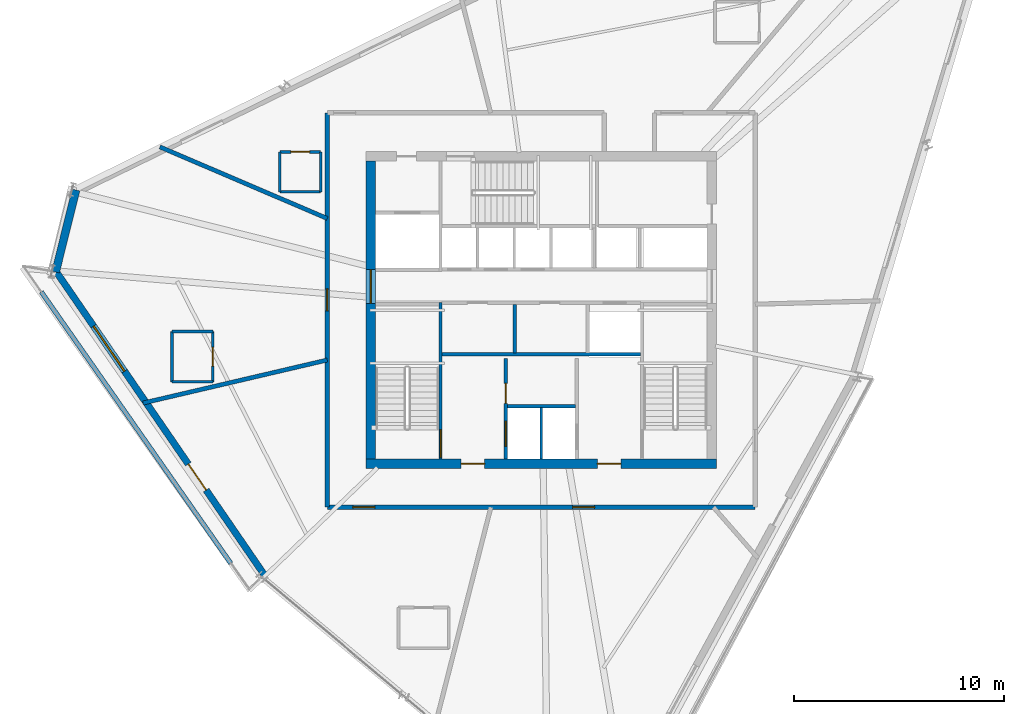
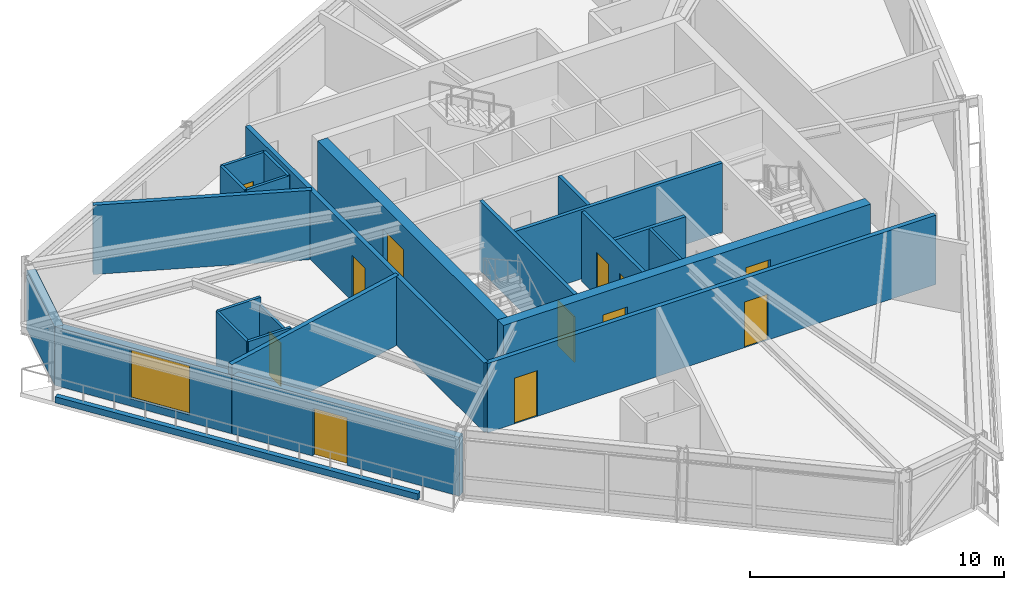
# One storey, part 8 of 14: 23 walls, 12 doors, 1 window, 13 openings.
"""IFC4 building model written with IfcOpenShell, lengths in metres."""

from ifc_helpers import new_model, si_unit, direction, frame, frame_2d, origin, place, context, subcontext, project, spatial, rectangle, extrude, source, transform, mapped, material, layer, layer_set, type_object, type_shapes, element, fill, save


model = new_model("IFC4")

# Units and contexts
model_context = context("Model", 3, precision=1e-05, world=origin(), true_north=direction((0.0, 1.0)))
body_context = subcontext(model_context, "Body", "Model", "MODEL_VIEW")
ifc_project = project(units=[si_unit("LENGTHUNIT", "METRE"), si_unit("AREAUNIT", "SQUARE_METRE"), si_unit("VOLUMEUNIT", "CUBIC_METRE"), si_unit("PLANEANGLEUNIT", "RADIAN"), si_unit("MASSUNIT", "GRAM", prefix="KILO")], contexts=[model_context])

# Site, building, storey
site_placement = place(None, origin())
site = spatial("IfcSite", under=ifc_project, at=site_placement, CompositionType="ELEMENT")
building_placement = place(site_placement, origin())
building = spatial("IfcBuilding", under=site, at=building_placement, Name="Olszyna Solenne Hotel", CompositionType="ELEMENT")
storey_placement = place(building_placement, frame((0.0, 0.0, 216.699951171875)))
storey = spatial("IfcBuildingStorey", under=building, at=storey_placement, Name="L57", CompositionType="ELEMENT", Elevation=216.699951171875)

# Wall, openings, doors
ifc_material_1 = material(Name="Concrete C50/60", Category="concrete")
ifc_layer_1 = layer(ifc_material_1, 0.449951171875, Name="Concrete C50/60")
ifc_layer_set_1 = layer_set([ifc_layer_1], Name="Concrete C50/60")
wall_type_1 = type_object("IfcWallType", Name="WL-CR450", PredefinedType="SHEAR", material=ifc_layer_set_1)
wall_1_placement = place(storey_placement, frame((46.35009765625, 19.27490234375, 0.0), z_axis=(0.0, 0.0, 1.0), x_axis=(-1.0, 0.0, 0.0)))
wall_1 = element("IfcWall", 1, at=wall_1_placement, inside=storey, type_object=wall_type_1, Name="Core shear wall WL-CR450 CRW-L57-S", PredefinedType="SHEAR", context=body_context, shape_type="SweptSolid", body=[
    extrude(rectangle(XDim=16.7001953125, YDim=0.449951171875, at=frame_2d((8.35009765625, 0.0))), origin(), (0.0, 0.0, 1.0), 3.330078125),
])
opening_1_placement = place(wall_1_placement, frame((4.550048828125, 0.0, 0.0)))
opening_1 = element("IfcOpeningElement", 2, at=opening_1_placement, cuts=wall_1, Name="Opening FL-L57-1", PredefinedType="OPENING", context=body_context, shape_type="SweptSolid", body=[
    extrude(rectangle(XDim=1.1201171875, YDim=2.25, at=frame_2d((0.56005859375, 1.125))), frame((0.0, 0.23486328125, 0.0), z_axis=(0.0, -1.0, 0.0), x_axis=(1.0, 0.0, 0.0)), (0.0, 0.0, 1.0), 0.469970703125),
])
opening_2_placement = place(wall_1_placement, frame((11.050048828125, 0.0, 0.0)))
opening_2 = element("IfcOpeningElement", 3, at=opening_2_placement, cuts=wall_1, Name="Opening FL-L57-2", PredefinedType="OPENING", context=body_context, shape_type="SweptSolid", body=[
    extrude(rectangle(XDim=1.1201171875, YDim=2.25, at=frame_2d((0.56005859375, 1.125))), frame((0.0, 0.23486328125, 0.0), z_axis=(0.0, -1.0, 0.0), x_axis=(1.0, 0.0, 0.0)), (0.0, 0.0, 1.0), 0.469970703125),
])
ifc_material_2 = material(Name="Steel S355J2", Category="steel")
door_type_1 = type_object("IfcDoorType", Name="DR-FL1", OperationType="NOTDEFINED", PredefinedType="DOOR", material=ifc_material_2)
shared_shape_1 = source(origin(), body_context, "Body", "SweptSolid", [
    extrude(rectangle(XDim=1.1201171875, YDim=2.25, at=frame_2d((0.56005859375, 1.125))), frame((0.0, 0.02490234375, 0.0), z_axis=(0.0, -1.0, 0.0), x_axis=(1.0, 0.0, 0.0)), (0.0, 0.0, 1.0), 0.050048828125),
])
type_shapes(door_type_1, [shared_shape_1])
door_1_placement = place(opening_1_placement, origin())
door_1 = element("IfcDoor", 4, at=door_1_placement, inside=storey, type_object=door_type_1, Name="Firefighting lift lobby smoke door FL-L57-1", OperationType="SINGLE_SWING_LEFT", OverallHeight=2.25, OverallWidth=1.1201171875, PredefinedType="DOOR", context=body_context, shape_type="MappedRepresentation", body=[
    mapped(shared_shape_1, transform((0.0, 0.0, 0.0), x_axis=(1.0, 0.0, 0.0), y_axis=(0.0, 1.0, 0.0), z_axis=(0.0, 0.0, 1.0), scale=1.0)),
])
fill(opening_1, door_1)
door_2_placement = place(opening_2_placement, origin())
door_2 = element("IfcDoor", 5, at=door_2_placement, inside=storey, type_object=door_type_1, Name="Firefighting lift lobby smoke door FL-L57-2", OperationType="SINGLE_SWING_RIGHT", OverallHeight=2.25, OverallWidth=1.1201171875, PredefinedType="DOOR", context=body_context, shape_type="MappedRepresentation", body=[
    mapped(shared_shape_1, transform((0.0, 0.0, 0.0), x_axis=(1.0, 0.0, 0.0), y_axis=(0.0, 1.0, 0.0), z_axis=(0.0, 0.0, 1.0), scale=1.0)),
])
fill(opening_2, door_2)

# Wall, opening, door
wall_2_placement = place(storey_placement, frame((29.875, 19.5, 0.0), z_axis=(0.0, 0.0, 1.0), x_axis=(0.0, 1.0, 0.0)))
wall_2 = element("IfcWall", 6, at=wall_2_placement, inside=storey, type_object=wall_type_1, Name="Core shear wall WL-CR450 CRW-L57-W", PredefinedType="SHEAR", context=body_context, shape_type="SweptSolid", body=[
    extrude(rectangle(XDim=14.199951171875, YDim=0.449951171875, at=frame_2d((7.10009765625, 0.0))), origin(), (0.0, 0.0, 1.0), 3.330078125),
])
opening_3_placement = place(wall_2_placement, frame((7.419921875, 0.0, 0.0)))
opening_3 = element("IfcOpeningElement", 7, at=opening_3_placement, cuts=wall_2, Name="Opening LHD-L57-W", PredefinedType="OPENING", context=body_context, shape_type="SweptSolid", body=[
    extrude(rectangle(XDim=1.60009765625, YDim=2.199951171875, at=frame_2d((0.800048828125, 1.10009765625))), frame((0.0, 0.23486328125, 0.0), z_axis=(0.0, -1.0, 0.0), x_axis=(1.0, 0.0, 0.0)), (0.0, 0.0, 1.0), 0.469970703125),
])
ifc_material_3 = material(Name="Timber hardwood", Category="wood")
door_type_2 = type_object("IfcDoorType", Name="DR-CR1", OperationType="DOUBLE_DOOR_SINGLE_SWING", PredefinedType="DOOR", material=ifc_material_3)
shared_shape_2 = source(origin(), body_context, "Body", "SweptSolid", [
    extrude(rectangle(XDim=1.60009765625, YDim=2.199951171875, at=frame_2d((0.800048828125, 1.10009765625))), frame((0.0, 0.02490234375, 0.0), z_axis=(0.0, -1.0, 0.0), x_axis=(1.0, 0.0, 0.0)), (0.0, 0.0, 1.0), 0.050048828125),
])
type_shapes(door_type_2, [shared_shape_2])
door_3_placement = place(opening_3_placement, origin())
door_3 = element("IfcDoor", 8, at=door_3_placement, inside=storey, type_object=door_type_2, Name="Passenger lift lobby West fire door LHD-L57-W", OperationType="DOUBLE_DOOR_SINGLE_SWING", OverallHeight=2.199951171875, OverallWidth=1.60009765625, PredefinedType="DOOR", context=body_context, shape_type="MappedRepresentation", body=[
    mapped(shared_shape_2, transform((0.0, 0.0, 0.0), x_axis=(1.0, 0.0, 0.0), y_axis=(0.0, 1.0, 0.0), z_axis=(0.0, 0.0, 1.0), scale=1.0)),
])
fill(opening_3, door_3)

# Wall, openings, door, window
ifc_material_4 = material(Name="Precast concrete C45/55", Category="concrete")
ifc_layer_2 = layer(ifc_material_4, 0.320068359375, Name="Precast concrete C45/55")
ifc_layer_set_2 = layer_set([ifc_layer_2], Name="Precast concrete C45/55")
wall_type_2 = type_object("IfcWallType", Name="WL-EX320", PredefinedType="SOLIDWALL", material=ifc_layer_set_2)
wall_3_placement = place(storey_placement, frame((24.802001953125, 13.9716796875, 0.0), z_axis=(0.0, 0.0, 1.0), x_axis=(-0.565912079831, 0.824465595341, 0.0)))
wall_3 = element("IfcWall", 9, at=wall_3_placement, inside=storey, type_object=wall_type_2, Name="Exterior terracotta-precast frame wall WL-EX320 EW-L57-04", PredefinedType="SOLIDWALL", context=body_context, shape_type="SweptSolid", body=[
    extrude(rectangle(XDim=17.678466796875, YDim=0.320068359375, at=frame_2d((8.83935546875, 0.0))), origin(), (0.0, 0.0, 1.0), 2.822021484375),
])
opening_4_placement = place(wall_3_placement, frame((4.906982421875, 0.0, 0.0)))
opening_4 = element("IfcOpeningElement", 10, at=opening_4_placement, cuts=wall_3, Name="Opening LDG-L57-2", PredefinedType="OPENING", context=body_context, shape_type="SweptSolid", body=[
    extrude(rectangle(XDim=1.5, YDim=2.300048828125, at=frame_2d((0.75, 1.14990234375))), frame((0.0, 0.169921875, 0.0), z_axis=(0.0, -1.0, 0.0), x_axis=(1.0, 0.0, 0.0)), (0.0, 0.0, 1.0), 0.340087890625),
])
opening_5_placement = place(wall_3_placement, frame((11.781982421875, 0.0, 0.35205078125)))
opening_5 = element("IfcOpeningElement", 11, at=opening_5_placement, cuts=wall_3, Name="Opening WN-L57-366", PredefinedType="OPENING", context=body_context, shape_type="SweptSolid", body=[
    extrude(rectangle(XDim=2.60009765625, YDim=2.35009765625, at=frame_2d((1.300048828125, 1.175048828125))), frame((0.0, 0.169921875, 0.0), z_axis=(0.0, -1.0, 0.0), x_axis=(1.0, 0.0, 0.0)), (0.0, 0.0, 1.0), 0.340087890625),
])
ifc_material_5 = material(Name="Anodised bronze aluminium", Category="aluminium")
door_type_3 = type_object("IfcDoorType", Name="DR-LG2", OperationType="DOUBLE_DOOR_SINGLE_SWING", PredefinedType="DOOR", material=ifc_material_5)
shared_shape_3 = source(origin(), body_context, "Body", "SweptSolid", [
    extrude(rectangle(XDim=1.5, YDim=2.300048828125, at=frame_2d((0.75, 1.14990234375))), frame((0.0, 0.02490234375, 0.0), z_axis=(0.0, -1.0, 0.0), x_axis=(1.0, 0.0, 0.0)), (0.0, 0.0, 1.0), 0.050048828125),
])
type_shapes(door_type_3, [shared_shape_3])
door_4_placement = place(opening_4_placement, origin())
door_4 = element("IfcDoor", 12, at=door_4_placement, inside=storey, type_object=door_type_3, Name="Exterior loggia balcony door DR-LG2 LDG-L57-2", OperationType="DOUBLE_DOOR_SINGLE_SWING", OverallHeight=2.300048828125, OverallWidth=1.5, PredefinedType="DOOR", context=body_context, shape_type="MappedRepresentation", body=[
    mapped(shared_shape_3, transform((0.0, 0.0, 0.0), x_axis=(1.0, 0.0, 0.0), y_axis=(0.0, 1.0, 0.0), z_axis=(0.0, 0.0, 1.0), scale=1.0)),
])
fill(opening_4, door_4)
ifc_material_6 = material(Name="Low-E triple glazing", Category="glass")
window_type = type_object("IfcWindowType", Name="WN-ST1", PartitioningType="SINGLE_PANEL", PredefinedType="WINDOW", material=ifc_material_6)
shared_shape_4 = source(origin(), body_context, "Body", "SweptSolid", [
    extrude(rectangle(XDim=2.60009765625, YDim=2.35009765625, at=frame_2d((1.300048828125, 1.175048828125))), frame((0.0, 0.030029296875, 0.0), z_axis=(0.0, -1.0, 0.0), x_axis=(1.0, 0.0, 0.0)), (0.0, 0.0, 1.0), 0.06005859375),
])
type_shapes(window_type, [shared_shape_4])
window_placement = place(opening_5_placement, origin())
window = element("IfcWindow", 13, at=window_placement, inside=storey, type_object=window_type, Name="Loggia room window WN-ST1 WN-L57-366", OverallHeight=2.35009765625, OverallWidth=2.60009765625, PartitioningType="SINGLE_PANEL", PredefinedType="WINDOW", context=body_context, shape_type="MappedRepresentation", body=[
    mapped(shared_shape_4, transform((0.0, 0.0, 0.0), x_axis=(1.0, 0.0, 0.0), y_axis=(0.0, 1.0, 0.0), z_axis=(0.0, 0.0, 1.0), scale=1.0)),
])
fill(opening_5, window)

# Walls
ifc_material_7 = material(Name="Terracotta cladding on precast concrete C45/55", Category="masonry")
ifc_layer_3 = layer(ifc_material_7, 0.3798828125, Name="Terracotta cladding on precast concrete C45/55")
ifc_layer_set_3 = layer_set([ifc_layer_3], Name="Terracotta cladding on precast concrete C45/55")
wall_type_3 = type_object("IfcWallType", Name="WL-EX380", PredefinedType="SOLIDWALL", material=ifc_layer_set_3)
wall_4_placement = place(storey_placement, frame((14.85009765625, 28.410400390625, 0.0), z_axis=(0.0, 0.0, 1.0), x_axis=(0.241038710641, 0.97051550218, 0.0)))
element("IfcWall", 14, at=wall_4_placement, inside=storey, type_object=wall_type_3, Name="Exterior terracotta-precast frame wall WL-EX380 EW-L57-05", PredefinedType="SOLIDWALL", context=body_context, shape_type="SweptSolid", body=[
    extrude(rectangle(XDim=4.0302734375, YDim=0.3798828125, at=frame_2d((2.01513671875, 0.0))), origin(), (0.0, 0.0, 1.0), 2.822021484375),
])
ifc_layer_4 = layer(ifc_material_4, 0.219970703125, Name="Precast concrete C45/55")
ifc_layer_set_4 = layer_set([ifc_layer_4], Name="Precast concrete C45/55")
wall_type_4 = type_object("IfcWallType", Name="WL-PR220", PredefinedType="PARAPET", material=ifc_layer_set_4)
wall_5_placement = place(storey_placement, frame((14.167724609375, 27.46337890625, 0.0), z_axis=(0.0, 0.0, 1.0), x_axis=(0.572476370134, -0.819921219166, 0.0)))
element("IfcWall", 15, at=wall_5_placement, inside=storey, type_object=wall_type_4, Name="Loggia balcony precast kerb PR-L57-LG2", PredefinedType="PARAPET", context=body_context, shape_type="SweptSolid", body=[
    extrude(rectangle(XDim=15.777587890625, YDim=0.219970703125, at=frame_2d((7.888671875, 0.0))), origin(), (0.0, 0.0, 1.0), 0.300048828125),
])
ifc_material_8 = material(Name="Acoustic gypsum partition", Category="gypsum")
ifc_layer_5 = layer(ifc_material_8, 0.125, Name="Acoustic gypsum partition")
ifc_layer_set_5 = layer_set([ifc_layer_5], Name="Acoustic gypsum partition")
wall_type_5 = type_object("IfcWallType", Name="WL-PT125", PredefinedType="PARTITIONING", material=ifc_layer_set_5)
wall_6_placement = place(storey_placement, frame((38.0, 19.5, 0.0), z_axis=(0.0, 0.0, 1.0), x_axis=(0.0, 1.0, 0.0)))
element("IfcWall", 16, at=wall_6_placement, inside=storey, type_object=wall_type_5, Name="Core shaft compartment wall CW-L57-FFM", PredefinedType="PARTITIONING", context=body_context, shape_type="SweptSolid", body=[
    extrude(rectangle(XDim=2.4599609375, YDim=0.125, at=frame_2d((1.22998046875, 0.0))), origin(), (0.0, 0.0, 1.0), 3.330078125),
])
wall_7_placement = place(storey_placement, frame((27.485107421875, 32.23388671875, 0.0), z_axis=(0.0, 0.0, 1.0), x_axis=(0.0, 1.0, 0.0)))
element("IfcWall", 17, at=wall_7_placement, inside=storey, type_object=wall_type_5, Name="Interior acoustic partition WL-PT125 PW-L57-3183", PredefinedType="PARTITIONING", context=body_context, shape_type="SweptSolid", body=[
    extrude(rectangle(XDim=1.900146484375, YDim=0.125, at=frame_2d((0.9501953125, 0.0))), origin(), (0.0, 0.0, 1.0), 3.330078125),
])

# Wall, opening, door
wall_8_placement = place(storey_placement, frame((27.485107421875, 34.134033203125, 0.0), z_axis=(0.0, 0.0, 1.0), x_axis=(-1.0, 0.0, 0.0)))
wall_8 = element("IfcWall", 18, at=wall_8_placement, inside=storey, type_object=wall_type_5, Name="Interior acoustic partition WL-PT125 PW-L57-3184", PredefinedType="PARTITIONING", context=body_context, shape_type="SweptSolid", body=[
    extrude(rectangle(XDim=1.9501953125, YDim=0.125, at=frame_2d((0.97509765625, 0.0))), origin(), (0.0, 0.0, 1.0), 3.330078125),
])
opening_6_placement = place(wall_8_placement, frame((0.52490234375, 0.0, 0.0)))
opening_6 = element("IfcOpeningElement", 19, at=opening_6_placement, cuts=wall_8, Name="Opening DR-L57-0771", PredefinedType="OPENING", context=body_context, shape_type="SweptSolid", body=[
    extrude(rectangle(XDim=0.89990234375, YDim=2.10009765625, at=frame_2d((0.449951171875, 1.050048828125))), frame((0.0, 0.072509765625, 0.0), z_axis=(0.0, -1.0, 0.0), x_axis=(1.0, 0.0, 0.0)), (0.0, 0.0, 1.0), 0.14501953125),
])
door_type_4 = type_object("IfcDoorType", Name="DR-WC1", OperationType="NOTDEFINED", PredefinedType="DOOR", material=ifc_material_3)
shared_shape_5 = source(origin(), body_context, "Body", "SweptSolid", [
    extrude(rectangle(XDim=0.89990234375, YDim=2.10009765625, at=frame_2d((0.449951171875, 1.050048828125))), frame((0.0, 0.02490234375, 0.0), z_axis=(0.0, -1.0, 0.0), x_axis=(1.0, 0.0, 0.0)), (0.0, 0.0, 1.0), 0.050048828125),
])
type_shapes(door_type_4, [shared_shape_5])
door_5_placement = place(opening_6_placement, origin())
door_5 = element("IfcDoor", 20, at=door_5_placement, inside=storey, type_object=door_type_4, Name="En-Suite Bathroom Door DR-L57-0771", OperationType="SINGLE_SWING_RIGHT", OverallHeight=2.10009765625, OverallWidth=0.89990234375, PredefinedType="DOOR", context=body_context, shape_type="MappedRepresentation", body=[
    mapped(shared_shape_5, transform((0.0, 0.0, 0.0), x_axis=(1.0, 0.0, 0.0), y_axis=(0.0, 1.0, 0.0), z_axis=(0.0, 0.0, 1.0), scale=1.0)),
])
fill(opening_6, door_5)

# Walls
wall_9_placement = place(storey_placement, frame((25.534912109375, 34.134033203125, 0.0), z_axis=(0.0, 0.0, 1.0), x_axis=(0.0, -1.0, 0.0)))
element("IfcWall", 21, at=wall_9_placement, inside=storey, type_object=wall_type_5, Name="Interior acoustic partition WL-PT125 PW-L57-3185", PredefinedType="PARTITIONING", context=body_context, shape_type="SweptSolid", body=[
    extrude(rectangle(XDim=1.900146484375, YDim=0.125, at=frame_2d((0.9501953125, 0.0))), origin(), (0.0, 0.0, 1.0), 3.330078125),
])
wall_10_placement = place(storey_placement, frame((25.534912109375, 32.23388671875, 0.0), z_axis=(0.0, 0.0, 1.0), x_axis=(1.0, 0.0, 0.0)))
element("IfcWall", 22, at=wall_10_placement, inside=storey, type_object=wall_type_5, Name="Interior acoustic partition WL-PT125 PW-L57-3186", PredefinedType="PARTITIONING", context=body_context, shape_type="SweptSolid", body=[
    extrude(rectangle(XDim=1.9501953125, YDim=0.125, at=frame_2d((0.97509765625, 0.0))), origin(), (0.0, 0.0, 1.0), 3.330078125),
])

# Wall, opening, door
wall_11_placement = place(storey_placement, frame((22.347900390625, 23.173095703125, 0.0), z_axis=(0.0, 0.0, 1.0), x_axis=(0.0, 1.0, 0.0)))
wall_11 = element("IfcWall", 23, at=wall_11_placement, inside=storey, type_object=wall_type_5, Name="Interior acoustic partition WL-PT125 PW-L57-3187", PredefinedType="PARTITIONING", context=body_context, shape_type="SweptSolid", body=[
    extrude(rectangle(XDim=2.39990234375, YDim=0.125, at=frame_2d((1.199951171875, 0.0))), origin(), (0.0, 0.0, 1.0), 2.955078125),
])
opening_7_placement = place(wall_11_placement, frame((0.75, 0.0, 0.0)))
opening_7 = element("IfcOpeningElement", 24, at=opening_7_placement, cuts=wall_11, Name="Opening DR-L57-0772", PredefinedType="OPENING", context=body_context, shape_type="SweptSolid", body=[
    extrude(rectangle(XDim=0.89990234375, YDim=2.10009765625, at=frame_2d((0.449951171875, 1.050048828125))), frame((0.0, 0.072509765625, 0.0), z_axis=(0.0, -1.0, 0.0), x_axis=(1.0, 0.0, 0.0)), (0.0, 0.0, 1.0), 0.14501953125),
])
door_6_placement = place(opening_7_placement, origin())
door_6 = element("IfcDoor", 25, at=door_6_placement, inside=storey, type_object=door_type_4, Name="En-Suite Bathroom Door DR-L57-0772", OperationType="SINGLE_SWING_LEFT", OverallHeight=2.10009765625, OverallWidth=0.89990234375, PredefinedType="DOOR", context=body_context, shape_type="MappedRepresentation", body=[
    mapped(shared_shape_5, transform((0.0, 0.0, 0.0), x_axis=(1.0, 0.0, 0.0), y_axis=(0.0, 1.0, 0.0), z_axis=(0.0, 0.0, 1.0), scale=1.0)),
])
fill(opening_7, door_6)

# Walls
wall_12_placement = place(storey_placement, frame((22.347900390625, 25.572998046875, 0.0), z_axis=(0.0, 0.0, 1.0), x_axis=(-1.0, 0.0, 0.0)))
element("IfcWall", 26, at=wall_12_placement, inside=storey, type_object=wall_type_5, Name="Interior acoustic partition WL-PT125 PW-L57-3188", PredefinedType="PARTITIONING", context=body_context, shape_type="SweptSolid", body=[
    extrude(rectangle(XDim=1.949951171875, YDim=0.125, at=frame_2d((0.97509765625, 0.0))), origin(), (0.0, 0.0, 1.0), 3.330078125),
])
wall_13_placement = place(storey_placement, frame((20.39794921875, 25.572998046875, 0.0), z_axis=(0.0, 0.0, 1.0), x_axis=(0.0, -1.0, 0.0)))
element("IfcWall", 27, at=wall_13_placement, inside=storey, type_object=wall_type_5, Name="Interior acoustic partition WL-PT125 PW-L57-3189", PredefinedType="PARTITIONING", context=body_context, shape_type="SweptSolid", body=[
    extrude(rectangle(XDim=2.39990234375, YDim=0.125, at=frame_2d((1.199951171875, 0.0))), origin(), (0.0, 0.0, 1.0), 3.330078125),
])
wall_14_placement = place(storey_placement, frame((20.39794921875, 23.173095703125, 0.0), z_axis=(0.0, 0.0, 1.0), x_axis=(1.0, 0.0, 0.0)))
element("IfcWall", 28, at=wall_14_placement, inside=storey, type_object=wall_type_5, Name="Interior acoustic partition WL-PT125 PW-L57-3190", PredefinedType="PARTITIONING", context=body_context, shape_type="SweptSolid", body=[
    extrude(rectangle(XDim=1.949951171875, YDim=0.125, at=frame_2d((0.97509765625, 0.0))), origin(), (0.0, 0.0, 1.0), 3.330078125),
])

# Wall, opening, door
ifc_layer_6 = layer(ifc_material_8, 0.159912109375, Name="Acoustic gypsum partition")
ifc_layer_set_6 = layer_set([ifc_layer_6], Name="Acoustic gypsum partition")
wall_type_6 = type_object("IfcWallType", Name="WL-PT160", PredefinedType="PARTITIONING", material=ifc_layer_set_6)
wall_15_placement = place(storey_placement, frame((33.199951171875, 19.5, 0.0), z_axis=(0.0, 0.0, 1.0), x_axis=(0.0, 1.0, 0.0)))
wall_15 = element("IfcWall", 29, at=wall_15_placement, inside=storey, type_object=wall_type_6, Name="Core shaft compartment wall CW-L57-ST1E", PredefinedType="PARTITIONING", context=body_context, shape_type="SweptSolid", body=[
    extrude(rectangle(XDim=7.4599609375, YDim=0.159912109375, at=frame_2d((3.72998046875, 0.0))), origin(), (0.0, 0.0, 1.0), 3.330078125),
])
opening_8_placement = place(wall_15_placement, frame((0.080078125, 0.0, 0.0)))
opening_8 = element("IfcOpeningElement", 30, at=opening_8_placement, cuts=wall_15, Name="Opening STD-L57-01", PredefinedType="OPENING", context=body_context, shape_type="SweptSolid", body=[
    extrude(rectangle(XDim=1.320068359375, YDim=2.199951171875, at=frame_2d((0.66015625, 1.10009765625))), frame((0.0, 0.08984375, 0.0), z_axis=(0.0, -1.0, 0.0), x_axis=(1.0, 0.0, 0.0)), (0.0, 0.0, 1.0), 0.179931640625),
])
door_type_5 = type_object("IfcDoorType", Name="DR-ST1", OperationType="NOTDEFINED", PredefinedType="DOOR", material=ifc_material_2)
shared_shape_6 = source(origin(), body_context, "Body", "SweptSolid", [
    extrude(rectangle(XDim=1.320068359375, YDim=2.199951171875, at=frame_2d((0.66015625, 1.10009765625))), frame((0.0, 0.02490234375, 0.0), z_axis=(0.0, -1.0, 0.0), x_axis=(1.0, 0.0, 0.0)), (0.0, 0.0, 1.0), 0.050048828125),
])
type_shapes(door_type_5, [shared_shape_6])
door_7_placement = place(opening_8_placement, origin())
door_7 = element("IfcDoor", 31, at=door_7_placement, inside=storey, type_object=door_type_5, Name="Pressurised exit stair ST1 fire door STD-L57-01", OperationType="SINGLE_SWING_LEFT", OverallHeight=2.199951171875, OverallWidth=1.320068359375, PredefinedType="DOOR", context=body_context, shape_type="MappedRepresentation", body=[
    mapped(shared_shape_6, transform((0.0, 0.0, 0.0), x_axis=(1.0, 0.0, 0.0), y_axis=(0.0, 1.0, 0.0), z_axis=(0.0, 0.0, 1.0), scale=1.0)),
])
fill(opening_8, door_7)

# Wall, openings, doors
wall_16_placement = place(storey_placement, frame((36.300048828125, 19.5, 0.0), z_axis=(0.0, 0.0, 1.0), x_axis=(0.0, 1.0, 0.0)))
wall_16 = element("IfcWall", 32, at=wall_16_placement, inside=storey, type_object=wall_type_6, Name="Core shaft compartment wall CW-L57-FF1W", PredefinedType="PARTITIONING", context=body_context, shape_type="SweptSolid", body=[
    extrude(rectangle(XDim=4.780029296875, YDim=0.159912109375, at=frame_2d((2.39013671875, 0.0))), origin(), (0.0, 0.0, 1.0), 3.330078125),
])
opening_9_placement = place(wall_16_placement, frame((0.60009765625, 0.0, 0.0)))
opening_9 = element("IfcOpeningElement", 33, at=opening_9_placement, cuts=wall_16, Name="Opening LD-L57-FF1", PredefinedType="OPENING", context=body_context, shape_type="SweptSolid", body=[
    extrude(rectangle(XDim=1.199951171875, YDim=2.199951171875, at=frame_2d((0.60009765625, 1.10009765625))), frame((0.0, 0.08984375, 0.0), z_axis=(0.0, -1.0, 0.0), x_axis=(1.0, 0.0, 0.0)), (0.0, 0.0, 1.0), 0.179931640625),
])
opening_10_placement = place(wall_16_placement, frame((2.64990234375, 0.0, 0.0)))
opening_10 = element("IfcOpeningElement", 34, at=opening_10_placement, cuts=wall_16, Name="Opening SVD-L57-SMK", PredefinedType="OPENING", context=body_context, shape_type="SweptSolid", body=[
    extrude(rectangle(XDim=0.949951171875, YDim=2.10009765625, at=frame_2d((0.47509765625, 1.050048828125))), frame((0.0, 0.08984375, 0.0), z_axis=(0.0, -1.0, 0.0), x_axis=(1.0, 0.0, 0.0)), (0.0, 0.0, 1.0), 0.179931640625),
])
door_type_6 = type_object("IfcDoorType", Name="DR-SV1", OperationType="NOTDEFINED", PredefinedType="DOOR", material=ifc_material_2)
shared_shape_7 = source(origin(), body_context, "Body", "SweptSolid", [
    extrude(rectangle(XDim=0.949951171875, YDim=2.10009765625, at=frame_2d((0.47509765625, 1.050048828125))), frame((0.0, 0.02490234375, 0.0), z_axis=(0.0, -1.0, 0.0), x_axis=(1.0, 0.0, 0.0)), (0.0, 0.0, 1.0), 0.050048828125),
])
type_shapes(door_type_6, [shared_shape_7])
door_8_placement = place(opening_10_placement, origin())
door_8 = element("IfcDoor", 35, at=door_8_placement, inside=storey, type_object=door_type_6, Name="Valet and core service room door SVD-L57-SMK", OperationType="SINGLE_SWING_LEFT", OverallHeight=2.10009765625, OverallWidth=0.949951171875, PredefinedType="DOOR", context=body_context, shape_type="MappedRepresentation", body=[
    mapped(shared_shape_7, transform((0.0, 0.0, 0.0), x_axis=(1.0, 0.0, 0.0), y_axis=(0.0, 1.0, 0.0), z_axis=(0.0, 0.0, 1.0), scale=1.0)),
])
fill(opening_10, door_8)
door_type_7 = type_object("IfcDoorType", Name="LD-FF1", OperationType="DOUBLE_DOOR_SLIDING", PredefinedType="DOOR", material=ifc_material_2)
shared_shape_8 = source(origin(), body_context, "Body", "SweptSolid", [
    extrude(rectangle(XDim=1.199951171875, YDim=2.199951171875, at=frame_2d((0.60009765625, 1.10009765625))), frame((0.0, 0.02490234375, 0.0), z_axis=(0.0, -1.0, 0.0), x_axis=(1.0, 0.0, 0.0)), (0.0, 0.0, 1.0), 0.050048828125),
])
type_shapes(door_type_7, [shared_shape_8])
door_9_placement = place(opening_9_placement, origin())
door_9 = element("IfcDoor", 36, at=door_9_placement, inside=storey, type_object=door_type_7, Name="Firefighters lift FF1 sliding landing door LD-L57-FF1", OperationType="DOUBLE_DOOR_SLIDING", OverallHeight=2.199951171875, OverallWidth=1.199951171875, PredefinedType="DOOR", context=body_context, shape_type="MappedRepresentation", body=[
    mapped(shared_shape_8, transform((0.0, 0.0, 0.0), x_axis=(1.0, 0.0, 0.0), y_axis=(0.0, 1.0, 0.0), z_axis=(0.0, 0.0, 1.0), scale=1.0)),
])
fill(opening_9, door_9)

# Walls
wall_17_placement = place(storey_placement, frame((36.3798828125, 22.02001953125, 0.0), z_axis=(0.0, 0.0, 1.0), x_axis=(1.0, 0.0, 0.0)))
element("IfcWall", 37, at=wall_17_placement, inside=storey, type_object=wall_type_6, Name="Core shaft compartment wall CW-L57-FFN", PredefinedType="PARTITIONING", context=body_context, shape_type="SweptSolid", body=[
    extrude(rectangle(XDim=3.240234375, YDim=0.159912109375, at=frame_2d((1.6201171875, 0.0))), origin(), (0.0, 0.0, 1.0), 3.330078125),
])
wall_18_placement = place(storey_placement, frame((33.280029296875, 24.489990234375, 0.0), z_axis=(0.0, 0.0, 1.0), x_axis=(1.0, 0.0, 0.0)))
element("IfcWall", 38, at=wall_18_placement, inside=storey, type_object=wall_type_6, Name="Core shaft compartment wall CW-L57-FFBN", PredefinedType="PARTITIONING", context=body_context, shape_type="SweptSolid", body=[
    extrude(rectangle(XDim=9.43994140625, YDim=0.159912109375, at=frame_2d((4.719970703125, 0.0))), origin(), (0.0, 0.0, 1.0), 3.330078125),
])
wall_19_placement = place(storey_placement, frame((36.72998046875, 24.56005859375, 0.0), z_axis=(0.0, 0.0, 1.0), x_axis=(0.0, 1.0, 0.0)))
element("IfcWall", 39, at=wall_19_placement, inside=storey, type_object=wall_type_6, Name="Core shaft compartment wall CW-L57-LV7DIV1", PredefinedType="PARTITIONING", context=body_context, shape_type="SweptSolid", body=[
    extrude(rectangle(XDim=2.31005859375, YDim=0.159912109375, at=frame_2d((1.155029296875, 0.0))), origin(), (0.0, 0.0, 1.0), 3.330078125),
])
ifc_layer_7 = layer(ifc_material_8, 0.199951171875, Name="Acoustic gypsum partition")
ifc_layer_set_7 = layer_set([ifc_layer_7], Name="Acoustic gypsum partition")
wall_type_7 = type_object("IfcWallType", Name="WL-PT200", PredefinedType="PARTITIONING", material=ifc_layer_set_7)
wall_20_placement = place(storey_placement, frame((27.800048828125, 24.217041015625, 0.0), z_axis=(0.0, 0.0, 1.0), x_axis=(-0.973777458716, -0.227502661295, 0.0)))
element("IfcWall", 40, at=wall_20_placement, inside=storey, type_object=wall_type_7, Name="Interior acoustic partition WL-PT200 PW-L57-3168", PredefinedType="PARTITIONING", context=body_context, shape_type="SweptSolid", body=[
    extrude(rectangle(XDim=9.016357421875, YDim=0.199951171875, at=frame_2d((4.50830078125, 0.0))), origin(), (0.0, 0.0, 1.0), 3.330078125),
])
wall_21_placement = place(storey_placement, frame((27.800048828125, 30.961669921875, 0.0), z_axis=(0.0, 0.0, 1.0), x_axis=(-0.919456217182, 0.393192401612, 0.0)))
element("IfcWall", 41, at=wall_21_placement, inside=storey, type_object=wall_type_7, Name="Interior acoustic partition WL-PT200 PW-L57-3174", PredefinedType="PARTITIONING", context=body_context, shape_type="SweptSolid", body=[
    extrude(rectangle(XDim=8.676025390625, YDim=0.199951171875, at=frame_2d((4.337890625, 0.0))), origin(), (0.0, 0.0, 1.0), 3.330078125),
])

# Wall, openings, doors
wall_22_placement = place(storey_placement, frame((27.800048828125, 17.199951171875, 0.0), z_axis=(0.0, 0.0, 1.0), x_axis=(1.0, 0.0, 0.0)))
wall_22 = element("IfcWall", 42, at=wall_22_placement, inside=storey, type_object=wall_type_7, Name="Interior acoustic partition WL-PT200 PW-L57-3191", PredefinedType="PARTITIONING", context=body_context, shape_type="SweptSolid", body=[
    extrude(rectangle(XDim=20.39990234375, YDim=0.199951171875, at=frame_2d((10.199951171875, 0.0))), origin(), (0.0, 0.0, 1.0), 3.330078125),
])
opening_11_placement = place(wall_22_placement, frame((1.219970703125, 0.0, 0.0)))
opening_11 = element("IfcOpeningElement", 43, at=opening_11_placement, cuts=wall_22, Name="Opening DR-L57-0773", PredefinedType="OPENING", context=body_context, shape_type="SweptSolid", body=[
    extrude(rectangle(XDim=1.050048828125, YDim=2.199951171875, at=frame_2d((0.52490234375, 1.10009765625))), frame((0.0, 0.10986328125, 0.0), z_axis=(0.0, -1.0, 0.0), x_axis=(1.0, 0.0, 0.0)), (0.0, 0.0, 1.0), 0.219970703125),
])
opening_12_placement = place(wall_22_placement, frame((11.698974609375, 0.0, 0.0)))
opening_12 = element("IfcOpeningElement", 44, at=opening_12_placement, cuts=wall_22, Name="Opening DR-L57-0774", PredefinedType="OPENING", context=body_context, shape_type="SweptSolid", body=[
    extrude(rectangle(XDim=1.050048828125, YDim=2.199951171875, at=frame_2d((0.52490234375, 1.10009765625))), frame((0.0, 0.10986328125, 0.0), z_axis=(0.0, -1.0, 0.0), x_axis=(1.0, 0.0, 0.0)), (0.0, 0.0, 1.0), 0.219970703125),
])
door_type_8 = type_object("IfcDoorType", Name="DR-RM2", OperationType="NOTDEFINED", PredefinedType="DOOR", material=ifc_material_3)
shared_shape_9 = source(origin(), body_context, "Body", "SweptSolid", [
    extrude(rectangle(XDim=1.050048828125, YDim=2.199951171875, at=frame_2d((0.52490234375, 1.10009765625))), frame((0.0, 0.02490234375, 0.0), z_axis=(0.0, -1.0, 0.0), x_axis=(1.0, 0.0, 0.0)), (0.0, 0.0, 1.0), 0.050048828125),
])
type_shapes(door_type_8, [shared_shape_9])
door_10_placement = place(opening_11_placement, origin())
door_10 = element("IfcDoor", 45, at=door_10_placement, inside=storey, type_object=door_type_8, Name="Corner Panorama Suite Entrance Door DR-L57-0773", OperationType="SINGLE_SWING_LEFT", OverallHeight=2.199951171875, OverallWidth=1.050048828125, PredefinedType="DOOR", context=body_context, shape_type="MappedRepresentation", body=[
    mapped(shared_shape_9, transform((0.0, 0.0, 0.0), x_axis=(1.0, 0.0, 0.0), y_axis=(0.0, 1.0, 0.0), z_axis=(0.0, 0.0, 1.0), scale=1.0)),
])
fill(opening_11, door_10)
door_11_placement = place(opening_12_placement, origin())
door_11 = element("IfcDoor", 46, at=door_11_placement, inside=storey, type_object=door_type_8, Name="Wellness Spa Studio Entrance Door DR-L57-0774", OperationType="SINGLE_SWING_RIGHT", OverallHeight=2.199951171875, OverallWidth=1.050048828125, PredefinedType="DOOR", context=body_context, shape_type="MappedRepresentation", body=[
    mapped(shared_shape_9, transform((0.0, 0.0, 0.0), x_axis=(1.0, 0.0, 0.0), y_axis=(0.0, 1.0, 0.0), z_axis=(0.0, 0.0, 1.0), scale=1.0)),
])
fill(opening_12, door_11)

# Wall, opening, door
wall_23_placement = place(storey_placement, frame((27.800048828125, 17.199951171875, 0.0), z_axis=(0.0, 0.0, 1.0), x_axis=(0.0, 1.0, 0.0)))
wall_23 = element("IfcWall", 47, at=wall_23_placement, inside=storey, type_object=wall_type_7, Name="Interior acoustic partition WL-PT200 PW-L57-3192", PredefinedType="PARTITIONING", context=body_context, shape_type="SweptSolid", body=[
    extrude(rectangle(XDim=18.800048828125, YDim=0.199951171875, at=frame_2d((9.39990234375, 0.0))), origin(), (0.0, 0.0, 1.0), 3.330078125),
])
opening_13_placement = place(wall_23_placement, frame((9.363037109375, 0.0, 0.0)))
opening_13 = element("IfcOpeningElement", 48, at=opening_13_placement, cuts=wall_23, Name="Opening DR-L57-0775", PredefinedType="OPENING", context=body_context, shape_type="SweptSolid", body=[
    extrude(rectangle(XDim=1.050048828125, YDim=2.199951171875, at=frame_2d((0.52490234375, 1.10009765625))), frame((0.0, 0.10986328125, 0.0), z_axis=(0.0, -1.0, 0.0), x_axis=(1.0, 0.0, 0.0)), (0.0, 0.0, 1.0), 0.219970703125),
])
door_12_placement = place(opening_13_placement, origin())
door_12 = element("IfcDoor", 49, at=door_12_placement, inside=storey, type_object=door_type_8, Name="Executive Reading Salon Entrance Door DR-L57-0775", OperationType="SINGLE_SWING_LEFT", OverallHeight=2.199951171875, OverallWidth=1.050048828125, PredefinedType="DOOR", context=body_context, shape_type="MappedRepresentation", body=[
    mapped(shared_shape_9, transform((0.0, 0.0, 0.0), x_axis=(1.0, 0.0, 0.0), y_axis=(0.0, 1.0, 0.0), z_axis=(0.0, 0.0, 1.0), scale=1.0)),
])
fill(opening_13, door_12)

save(model, "model.ifc")
